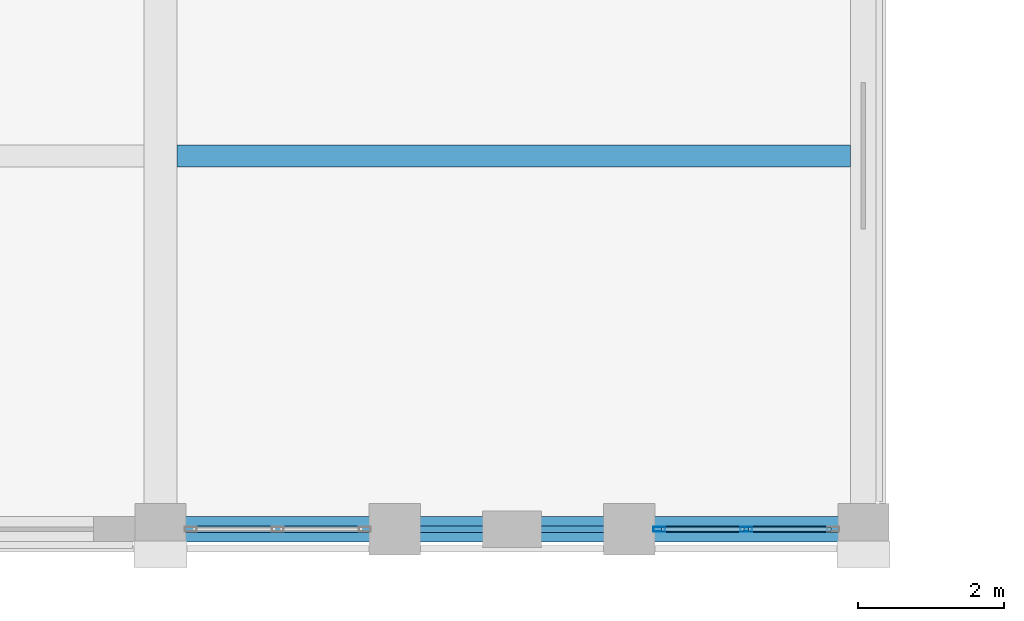
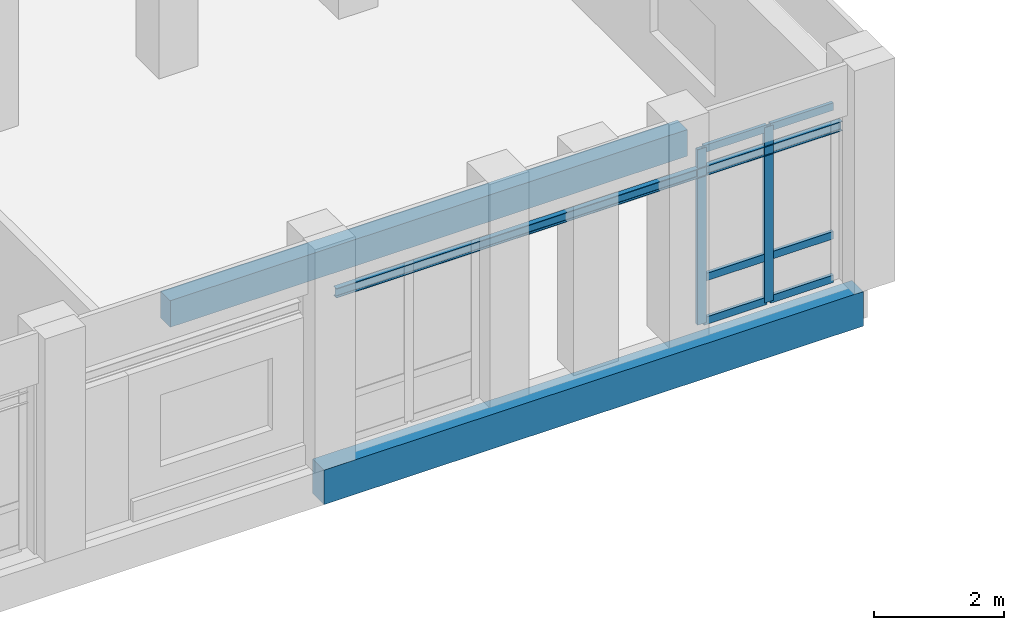
# One storey, part 26 of 185: 8 members, 3 beams, 1 element without a shape of its own.
"""IFC4 building model written with IfcOpenShell, lengths in metres."""

import ifcopenshell
import ifcopenshell.guid

model = None  # the IFC model being written
_history = None  # IfcOwnerHistory: only IFC2X3 demands one
_inside = {}  # id of a spatial element -> (the spatial element, [elements in it])
_under = {}  # id of a project, library or spatial element -> (it, [spatial elements below it])
_declared = {}  # id of a project -> (the project, [libraries it declares])
_typed = {}  # id of a type object -> (the type object, [elements of that type])
_made_of = {}  # id of a material, layer set ... -> (it, [elements and type objects made of it])


def new_model(schema):
    """Start an empty IFC model of exactly this schema.

    Asked for "IFC4X3", IfcOpenShell would pick the latest addendum, in which some entities
    have other attributes; the version numbers below select the first issue.
    IFC2X3 requires an IfcOwnerHistory on every rooted entity: one is made here for all.
    """
    global model, _history
    if schema == "IFC4X3":
        model = ifcopenshell.file(schema_version=(4, 3, 0, 0))
    else:
        model = ifcopenshell.file(schema=schema)
    _inside.clear()
    _under.clear()
    _declared.clear()
    _typed.clear()
    _made_of.clear()
    _history = None
    if model.schema == "IFC2X3":
        org = make("IfcOrganization", Name="unknown")
        user = make(
            "IfcPersonAndOrganization",
            ThePerson=make("IfcPerson", FamilyName="unknown"),
            TheOrganization=org,
        )
        app = make(
            "IfcApplication",
            ApplicationDeveloper=org,
            Version="unknown",
            ApplicationFullName="unknown",
            ApplicationIdentifier="unknown",
        )
        _history = make(
            "IfcOwnerHistory",
            OwningUser=user,
            OwningApplication=app,
            ChangeAction="ADDED",
            CreationDate=0,
        )
    return model


def make(cls, **values):
    """One entity of the class cls with the attributes given. An attribute that is None is left unset."""
    return model.create_entity(
        cls, **{name: value for name, value in values.items() if value is not None}
    )


def rooted(cls, **values):
    """An entity with a GlobalId (a new one), such as an element, a storey or a relation."""
    return make(cls, GlobalId=ifcopenshell.guid.new(), OwnerHistory=_history, **values)


def si_unit(unit_type, name, prefix=None):
    """IfcSIUnit, for example si_unit("LENGTHUNIT", "METRE", prefix="MILLI")."""
    return make("IfcSIUnit", UnitType=unit_type, Prefix=prefix, Name=name)


def assignment(units):
    """IfcUnitAssignment: the units of a project."""
    return None if units is None else make("IfcUnitAssignment", Units=units)


def point(xyz):
    """IfcCartesianPoint."""
    return None if xyz is None else make("IfcCartesianPoint", Coordinates=xyz)


def direction(xyz):
    """IfcDirection."""
    return None if xyz is None else make("IfcDirection", DirectionRatios=xyz)


def frame(location, z_axis=None, x_axis=None):
    """IfcAxis2Placement3D, a coordinate frame: its origin and axes. An axis left out is left unset."""
    return make(
        "IfcAxis2Placement3D",
        Location=point(location),
        Axis=direction(z_axis),
        RefDirection=direction(x_axis),
    )


def frame_2d(location, x_axis=None):
    """IfcAxis2Placement2D, a coordinate frame in the plane: its origin and x axis."""
    return make(
        "IfcAxis2Placement2D", Location=point(location), RefDirection=direction(x_axis)
    )


def origin():
    """The frame at (0, 0, 0) with its axes left unset."""
    return frame((0.0, 0.0, 0.0))


def origin_2d():
    """The frame at (0, 0) in the plane with its x axis left unset."""
    return frame_2d((0.0, 0.0))


def place(relative_to, where):
    """IfcLocalPlacement: puts the frame where relative to a parent placement (None: the world)."""
    return make(
        "IfcLocalPlacement", PlacementRelTo=relative_to, RelativePlacement=where
    )


def context(
    kind, dimensions, precision=None, world=None, true_north=None, identifier=None
):
    """IfcGeometricRepresentationContext, for example the 3D "Model" context."""
    return make(
        "IfcGeometricRepresentationContext",
        ContextIdentifier=identifier,
        ContextType=kind,
        CoordinateSpaceDimension=dimensions,
        Precision=precision,
        WorldCoordinateSystem=world,
        TrueNorth=true_north,
    )


def subcontext(parent, identifier, kind, view, scale=None):
    """IfcGeometricRepresentationSubContext, for example "Body" below "Model"."""
    return make(
        "IfcGeometricRepresentationSubContext",
        ContextIdentifier=identifier,
        ContextType=kind,
        ParentContext=parent,
        TargetScale=scale,
        TargetView=view,
    )


def project(units=None, contexts=None):
    """IfcProject with its units and contexts."""
    return rooted(
        "IfcProject",
        Name="project",
        RepresentationContexts=contexts,
        UnitsInContext=assignment(units),
    )


def spatial(cls, under=None, at=None, **own):
    """A site, building, storey or space (cls), placed at a placement, below another one or the project."""
    s = rooted(cls, ObjectPlacement=at, **own)
    if under is not None:
        _under.setdefault(under.id(), (under, []))[1].append(s)
    return s


def profile(cls, at=None, kind="AREA", **sizes):
    """A parametric profile (cls). Its sizes go by their IFC names, for example OverallWidth=200.0."""
    return make(cls, ProfileType=kind, Position=at, **sizes)


def rectangle(**sizes):
    """IfcRectangleProfileDef."""
    return profile("IfcRectangleProfileDef", **sizes)


def hollow_rectangle(**sizes):
    """IfcRectangleHollowProfileDef."""
    return profile("IfcRectangleHollowProfileDef", **sizes)


def i_section(**sizes):
    """IfcIShapeProfileDef."""
    return profile("IfcIShapeProfileDef", **sizes)


def extrude(swept, where, along, depth):
    """IfcExtrudedAreaSolid: the profile swept, set in the frame where, extruded along a direction by depth."""
    return make(
        "IfcExtrudedAreaSolid",
        SweptArea=swept,
        Position=where,
        ExtrudedDirection=direction(along),
        Depth=depth,
    )


def shape(context_of_items, identifier, shape_type, items):
    """IfcShapeRepresentation: the items that make up one representation, for example the "Body"."""
    return make(
        "IfcShapeRepresentation",
        ContextOfItems=context_of_items,
        RepresentationIdentifier=identifier,
        RepresentationType=shape_type,
        Items=items,
    )


def material(Name=None, Category=None):
    """IfcMaterial."""
    return make("IfcMaterial", Name=Name, Category=Category)


def material_profile(
    of_material, cross_section, Name=None, Category=None, Priority=None
):
    """IfcMaterialProfile: a cross section and its material."""
    return make(
        "IfcMaterialProfile",
        Name=Name,
        Material=of_material,
        Profile=cross_section,
        Priority=Priority,
        Category=Category,
    )


def profile_set(profiles, Name=None, composite=None):
    """IfcMaterialProfileSet."""
    return make(
        "IfcMaterialProfileSet",
        Name=Name,
        MaterialProfiles=profiles,
        CompositeProfile=composite,
    )


def made_of(thing, what):
    """Note that an element or type object is made of a material, layer set ...; save() writes the relation."""
    if what is not None:
        _made_of.setdefault(what.id(), (what, []))[1].append(thing)
    return thing


def type_object(cls, material=None, **own):
    """A type object (cls), such as IfcWallType, which elements share."""
    return made_of(rooted(cls, **own), material)


def element(
    cls,
    number,
    at=None,
    inside=None,
    cuts=None,
    type_object=None,
    material=None,
    context=None,
    identifier="Body",
    shape_type=None,
    held_by="IfcProductDefinitionShape",
    body=None,
    shapes=None,
    **own,
):
    """One element of the class cls, such as IfcWall. Its Tag is "e" and its number.

    at: its placement. inside: the storey or other place that contains it. cuts: it is an
    opening in that element (IfcRelVoidsElement). A single representation is given by context,
    identifier, shape_type and body (its items); several are given by shapes. held_by: the class
    of the entity that holds the representations. save() writes the other relations.
    """
    e = rooted(cls, Tag="e%d" % number, ObjectPlacement=at, **own)
    if body is not None:
        shapes = [shape(context, identifier, shape_type, body)]
    if shapes is not None:
        e.Representation = make(held_by, Representations=shapes)
    if inside is not None:
        _inside.setdefault(inside.id(), (inside, []))[1].append(e)
    if cuts is not None:
        rooted(
            "IfcRelVoidsElement", RelatingBuildingElement=cuts, RelatedOpeningElement=e
        )
    if type_object is not None:
        _typed.setdefault(type_object.id(), (type_object, []))[1].append(e)
    return made_of(e, material)


def aggregate(whole, parts):
    """IfcRelAggregates: a whole, such as a stair, and the parts it consists of."""
    return rooted("IfcRelAggregates", RelatingObject=whole, RelatedObjects=parts)


def save(model, path):
    """Write the relations noted so far, then the file.

    IfcRelAggregates (storeys below a building ...), IfcRelContainedInSpatialStructure (elements
    in a storey), IfcRelDefinesByType, IfcRelAssociatesMaterial and IfcRelDeclares: one each for
    every whole, place, type object, material and project.
    """
    for whole, parts in _under.values():
        aggregate(whole, parts)
    for where, things in _inside.values():
        rooted(
            "IfcRelContainedInSpatialStructure",
            RelatedElements=things,
            RelatingStructure=where,
        )
    for kind, things in _typed.values():
        rooted("IfcRelDefinesByType", RelatedObjects=things, RelatingType=kind)
    for what, things in _made_of.values():
        rooted("IfcRelAssociatesMaterial", RelatedObjects=things, RelatingMaterial=what)
    for by, libraries in _declared.values():
        rooted("IfcRelDeclares", RelatingContext=by, RelatedDefinitions=libraries)
    model.write(path)


model = new_model("IFC4")

# Units and contexts
model_context = context("Model", 3, precision=1e-05, world=origin(), true_north=direction((0.0, 1.0)))
body_context = subcontext(model_context, "Body", "Model", "MODEL_VIEW")
ifc_project = project(units=[si_unit("LENGTHUNIT", "METRE"), si_unit("AREAUNIT", "SQUARE_METRE"), si_unit("VOLUMEUNIT", "CUBIC_METRE"), si_unit("PLANEANGLEUNIT", "RADIAN"), si_unit("MASSUNIT", "GRAM", prefix="KILO")], contexts=[model_context])

# Site, building, storey
site_placement = place(None, origin())
site = spatial("IfcSite", under=ifc_project, at=site_placement, CompositionType="ELEMENT")
building_placement = place(site_placement, origin())
building = spatial("IfcBuilding", under=site, at=building_placement, Name="Vondelvale Polytechnic", CompositionType="ELEMENT")
storey_placement = place(building_placement, frame((0.0, 0.0, 9.60009765625)))
storey = spatial("IfcBuildingStorey", under=building, at=storey_placement, Name="L02", CompositionType="ELEMENT", Elevation=9.60009765625)

# Curtain wall, members
ifc_material_1 = material(Name="Anodised extruded aluminium 6063-T6", Category="aluminium")
curtain_wall_type = type_object("IfcCurtainWallType", Name="CW-LIBRARY-BAY", PredefinedType="NOTDEFINED", material=ifc_material_1)
curtain_wall_placement = place(storey_placement, origin())
curtain_wall = element("IfcCurtainWall", 1, at=curtain_wall_placement, inside=storey, type_object=curtain_wall_type, Name="L02 architectural curtain wall CW-02-018", PredefinedType="NOTDEFINED")
ifc_material_profile_1 = material_profile(ifc_material_1, hollow_rectangle(XDim=0.06494140625, YDim=0.159912109375, WallThickness=0.0048828125, at=origin_2d()), Name="CW-MUL-160x65")
ifc_profile_set_1 = profile_set([ifc_material_profile_1], Name="Anodised extruded aluminium 6063-T6")
member_type_1 = type_object("IfcMemberType", Name="CW-MUL-65x160", PredefinedType="MULLION", material=ifc_profile_set_1)
member_1_placement = place(storey_placement, frame((45.21240234375, 0.0, 0.0), z_axis=(0.0, 0.0, 1.0), x_axis=(0.0, 1.0, 0.0)))
member_1 = element("IfcMember", 2, at=member_1_placement, type_object=member_type_1, Name="CW-02-018 mullion 1", PredefinedType="MULLION", context=body_context, shape_type="SweptSolid", body=[
    extrude(hollow_rectangle(XDim=0.06494140625, YDim=0.159912109375, WallThickness=0.0048828125, at=origin_2d()), origin(), (0.0, 0.0, 1.0), 3.2998046875),
])
member_2_placement = place(storey_placement, frame((46.39990234375, 0.0, 0.0), z_axis=(0.0, 0.0, 1.0), x_axis=(0.0, 1.0, 0.0)))
member_2 = element("IfcMember", 3, at=member_2_placement, type_object=member_type_1, Name="CW-02-018 mullion 2", PredefinedType="MULLION", context=body_context, shape_type="SweptSolid", body=[
    extrude(hollow_rectangle(XDim=0.06494140625, YDim=0.159912109375, WallThickness=0.0048828125, at=origin_2d()), origin(), (0.0, 0.0, 1.0), 3.2998046875),
])
ifc_material_profile_2 = material_profile(ifc_material_1, hollow_rectangle(XDim=0.06005859375, YDim=0.139892578125, WallThickness=0.00341796875, at=origin_2d()), Name="CW-TRN-140x60")
ifc_profile_set_2 = profile_set([ifc_material_profile_2], Name="Anodised extruded aluminium 6063-T6")
member_type_2 = type_object("IfcMemberType", Name="CW-TRN-60x140", PredefinedType="USERDEFINED", material=ifc_profile_set_2)
member_3_placement = place(storey_placement, frame((45.2451171875, 0.0, 0.02978515625), z_axis=(1.0, 0.0, 0.0), x_axis=(0.0, 1.0, 0.0)))
member_3 = element("IfcMember", 4, at=member_3_placement, type_object=member_type_2, Name="CW-02-018 transom 1.1", ObjectType="TRANSOM", PredefinedType="USERDEFINED", context=body_context, shape_type="SweptSolid", body=[
    extrude(hollow_rectangle(XDim=0.06005859375, YDim=0.139892578125, WallThickness=0.00341796875, at=origin_2d()), origin(), (0.0, 0.0, 1.0), 1.122314453125),
])
member_4_placement = place(storey_placement, frame((45.2451171875, 0.0, 0.849853515625), z_axis=(1.0, 0.0, 0.0), x_axis=(0.0, 1.0, 0.0)))
member_4 = element("IfcMember", 5, at=member_4_placement, type_object=member_type_2, Name="CW-02-018 transom 1.2", ObjectType="TRANSOM", PredefinedType="USERDEFINED", context=body_context, shape_type="SweptSolid", body=[
    extrude(hollow_rectangle(XDim=0.06005859375, YDim=0.139892578125, WallThickness=0.00341796875, at=origin_2d()), origin(), (0.0, 0.0, 1.0), 1.122314453125),
])
member_5_placement = place(storey_placement, frame((45.2451171875, 0.0, 3.27001953125), z_axis=(1.0, 0.0, 0.0), x_axis=(0.0, 1.0, 0.0)))
member_5 = element("IfcMember", 6, at=member_5_placement, type_object=member_type_2, Name="CW-02-018 transom 1.3", ObjectType="TRANSOM", PredefinedType="USERDEFINED", context=body_context, shape_type="SweptSolid", body=[
    extrude(hollow_rectangle(XDim=0.06005859375, YDim=0.139892578125, WallThickness=0.00341796875, at=origin_2d()), origin(), (0.0, 0.0, 1.0), 1.122314453125),
])
member_6_placement = place(storey_placement, frame((46.4326171875, 0.0, 0.02978515625), z_axis=(1.0, 0.0, 0.0), x_axis=(0.0, 1.0, 0.0)))
member_6 = element("IfcMember", 7, at=member_6_placement, type_object=member_type_2, Name="CW-02-018 transom 2.1", ObjectType="TRANSOM", PredefinedType="USERDEFINED", context=body_context, shape_type="SweptSolid", body=[
    extrude(hollow_rectangle(XDim=0.06005859375, YDim=0.139892578125, WallThickness=0.00341796875, at=origin_2d()), origin(), (0.0, 0.0, 1.0), 1.122314453125),
])
member_7_placement = place(storey_placement, frame((46.4326171875, 0.0, 0.849853515625), z_axis=(1.0, 0.0, 0.0), x_axis=(0.0, 1.0, 0.0)))
member_7 = element("IfcMember", 8, at=member_7_placement, type_object=member_type_2, Name="CW-02-018 transom 2.2", ObjectType="TRANSOM", PredefinedType="USERDEFINED", context=body_context, shape_type="SweptSolid", body=[
    extrude(hollow_rectangle(XDim=0.06005859375, YDim=0.139892578125, WallThickness=0.00341796875, at=origin_2d()), origin(), (0.0, 0.0, 1.0), 1.122314453125),
])
member_8_placement = place(storey_placement, frame((46.4326171875, 0.0, 3.27001953125), z_axis=(1.0, 0.0, 0.0), x_axis=(0.0, 1.0, 0.0)))
member_8 = element("IfcMember", 9, at=member_8_placement, type_object=member_type_2, Name="CW-02-018 transom 2.3", ObjectType="TRANSOM", PredefinedType="USERDEFINED", context=body_context, shape_type="SweptSolid", body=[
    extrude(hollow_rectangle(XDim=0.06005859375, YDim=0.139892578125, WallThickness=0.00341796875, at=origin_2d()), origin(), (0.0, 0.0, 1.0), 1.122314453125),
])
aggregate(curtain_wall, [member_1, member_2, member_3, member_4, member_5, member_6, member_7, member_8])

# Beams
ifc_material_2 = material(Name="Concrete N40 (f'c = 40 MPa)", Category="concrete")
ifc_material_profile_3 = material_profile(ifc_material_2, rectangle(XDim=0.300048828125, YDim=0.5, at=origin_2d()), Name="RC-JST-300x500")
ifc_profile_set_3 = profile_set([ifc_material_profile_3], Name="Concrete N40 (f'c = 40 MPa)")
beam_type_1 = type_object("IfcBeamType", Name="JST-RC300x500", PredefinedType="JOIST", material=ifc_profile_set_3)
beam_1_placement = place(storey_placement, frame((38.625, 5.10009765625, -0.530029296875), z_axis=(1.0, 0.0, 0.0), x_axis=(0.0, 1.0, 0.0)))
element("IfcBeam", 10, at=beam_1_placement, inside=storey, type_object=beam_type_1, Name="L02 J J-02", PredefinedType="JOIST", context=body_context, shape_type="SweptSolid", body=[
    extrude(rectangle(XDim=0.300048828125, YDim=0.5, at=origin_2d()), origin(), (0.0, 0.0, 1.0), 9.199951171875),
])
ifc_material_3 = material(Name="Steel 300PLUS (fy = 300 MPa)", Category="steel")
ifc_material_profile_4 = material_profile(ifc_material_3, i_section(OverallWidth=0.090087890625, OverallDepth=0.178955078125, WebThickness=0.006103515625, FlangeThickness=0.010009765625, FilletRadius=0.0087890625, at=origin_2d()), Name="180UB22.2")
ifc_profile_set_4 = profile_set([ifc_material_profile_4], Name="Steel 300PLUS (fy = 300 MPa)")
beam_type_2 = type_object("IfcBeamType", Name="LNT-UB180", PredefinedType="LINTEL", material=ifc_profile_set_4)
beam_2_placement = place(storey_placement, frame((38.699951171875, 0.0, 2.8603515625), z_axis=(1.0, 0.0, 0.0), x_axis=(0.0, 1.0, 0.0)))
element("IfcBeam", 11, at=beam_2_placement, inside=storey, type_object=beam_type_2, Name="L02 LN LN-04", PredefinedType="LINTEL", context=body_context, shape_type="SweptSolid", body=[
    extrude(i_section(OverallWidth=0.090087890625, OverallDepth=0.178955078125, WebThickness=0.006103515625, FlangeThickness=0.010009765625, FilletRadius=0.0087890625, at=origin_2d()), origin(), (0.0, 0.0, 1.0), 9.0),
])
ifc_material_4 = material(Name="Precast concrete N40 (f'c = 40 MPa)", Category="concrete")
ifc_material_profile_5 = material_profile(ifc_material_4, rectangle(XDim=0.35009765625, YDim=0.64990234375, at=origin_2d()), Name="RC-SPN-350x650")
ifc_profile_set_5 = profile_set([ifc_material_profile_5], Name="Precast concrete N40 (f'c = 40 MPa)")
beam_type_3 = type_object("IfcBeamType", Name="SPN-PRE350x650", PredefinedType="SPANDREL", material=ifc_profile_set_5)
beam_3_placement = place(storey_placement, frame((38.39990234375, 0.0, -0.60498046875), z_axis=(1.0, 0.0, 0.0), x_axis=(0.0, 1.0, 0.0)))
element("IfcBeam", 12, at=beam_3_placement, inside=storey, type_object=beam_type_3, Name="L02 B SP-02", PredefinedType="SPANDREL", context=body_context, shape_type="SweptSolid", body=[
    extrude(rectangle(XDim=0.35009765625, YDim=0.64990234375, at=origin_2d()), origin(), (0.0, 0.0, 1.0), 9.60009765625),
])

save(model, "model.ifc")
